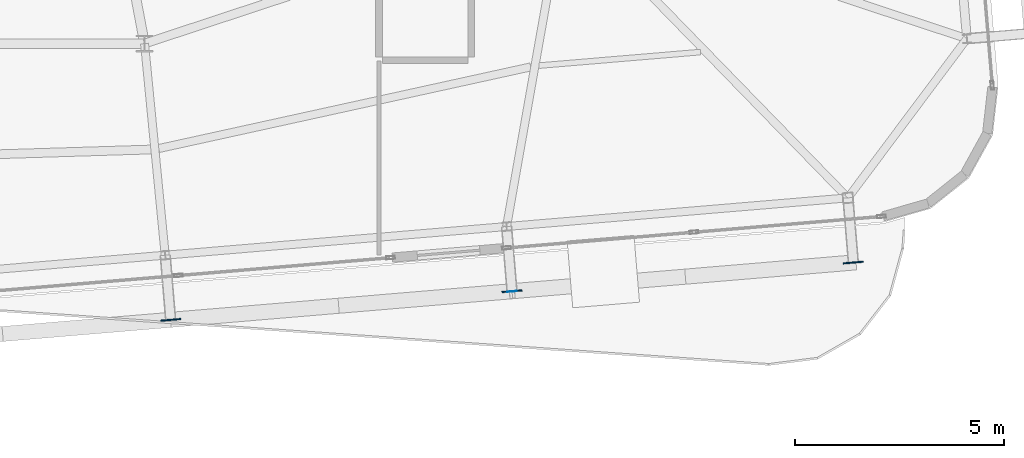
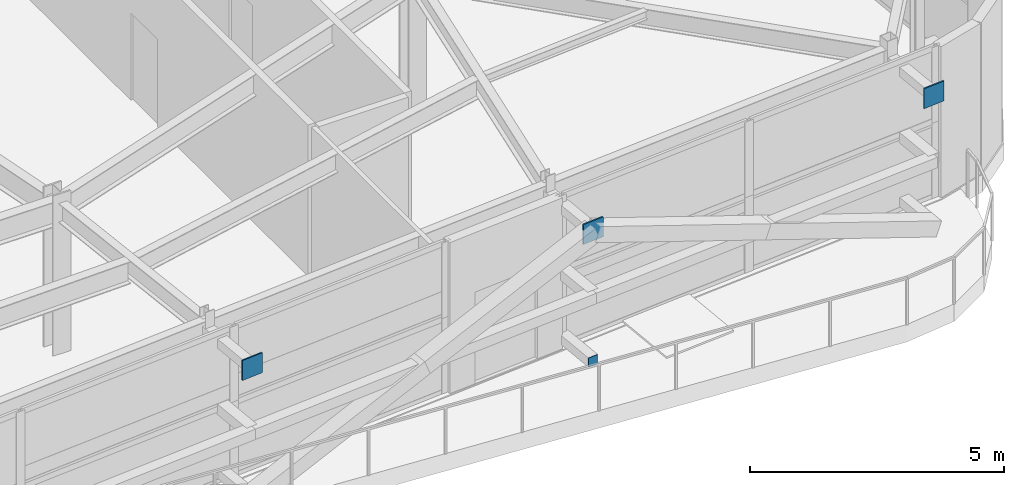
# One storey, part 28 of 38: 4 plates.
"""IFC4 building model written with IfcOpenShell, lengths in metres."""

from ifc_helpers import new_model, si_unit, direction, frame, origin, origin_2d, place, context, subcontext, project, spatial, rectangle, extrude, source, transform, mapped, material, layer, layer_set, type_object, element, save


model = new_model("IFC4")

# Units and contexts
model_context = context("Model", 3, precision=1e-05, world=origin(), true_north=direction((0.0, 1.0)))
body_context = subcontext(model_context, "Body", "Model", "MODEL_VIEW")
ifc_project = project(units=[si_unit("LENGTHUNIT", "METRE"), si_unit("AREAUNIT", "SQUARE_METRE"), si_unit("VOLUMEUNIT", "CUBIC_METRE"), si_unit("PLANEANGLEUNIT", "RADIAN"), si_unit("MASSUNIT", "GRAM", prefix="KILO")], contexts=[model_context])

# Site, building, storey
site_placement = place(None, origin())
site = spatial("IfcSite", under=ifc_project, at=site_placement, CompositionType="ELEMENT")
building_placement = place(site_placement, origin())
building = spatial("IfcBuilding", under=site, at=building_placement, Name="Taldren Reach Tower", CompositionType="ELEMENT")
storey_placement = place(building_placement, frame((0.0, 0.0, 168.699951171875)))
storey = spatial("IfcBuildingStorey", under=building, at=storey_placement, Name="L51", CompositionType="ELEMENT", Elevation=168.699951171875)

# Plates
ifc_material = material(Name="Steel Gr 450 (C450L0)", Category="steel")
ifc_layer_1 = layer(ifc_material, 0.031982421875)
ifc_layer_set_1 = layer_set([ifc_layer_1], Name="Steel Gr 450 (C450L0)")
plate_type_1 = type_object("IfcPlateType", Name="PL-GUSSET-32", PredefinedType="SHEET", material=ifc_layer_set_1)
shared_shape_1 = source(origin(), body_context, "Body", "SweptSolid", [
    extrude(rectangle(XDim=0.47998046875, YDim=0.031982421875, at=origin_2d()), origin(), (0.0, 0.0, 1.0), 0.47998046875),
])
for number, where, z_axis, x_axis, name in (
    (1, (42.623291015625, 2.60302734375, 3.110107421875), (0.0, 0.0, 1.0), (0.99649285925, 0.083677843332, 0.0), "Exoskeleton star-node gusset plate B4-S4 L51"),
    (2, (50.774658203125, 3.287353515625, 3.110107421875), (0.0, 0.0, 1.0), (0.99649285925, 0.083677843332, 0.0), "Exoskeleton star-node gusset plate B4-S5 L51"),
    (3, (58.926025390625, 3.971923828125, 3.110107421875), (0.0, 0.0, 1.0), (0.99649285925, 0.083677843332, 0.0), "Exoskeleton star-node gusset plate B4-S6 L51"),
):
    element("IfcPlate", number, at=place(storey_placement, frame(where, z_axis=z_axis, x_axis=x_axis)), inside=storey, type_object=plate_type_1, Name=name, PredefinedType="SHEET", context=body_context, shape_type="MappedRepresentation", body=[
        mapped(shared_shape_1, transform((0.0, 0.0, 0.0), scale=1.0)),
    ])
ifc_layer_2 = layer(ifc_material, 0.011962890625)
ifc_layer_set_2 = layer_set([ifc_layer_2], Name="Steel Gr 450 (C450L0)")
plate_type_2 = type_object("IfcPlateType", Name="PL-CAP-220", PredefinedType="SHEET", material=ifc_layer_set_2)
shared_shape_2 = source(origin(), body_context, "Body", "SweptSolid", [
    extrude(rectangle(XDim=0.219970703125, YDim=0.011962890625, at=origin_2d()), origin(), (0.0, 0.0, 1.0), 0.219970703125),
])
plate_placement = place(storey_placement, frame((50.775146484375, 3.281494140625, 0.10986328125), z_axis=(0.0, 0.0, 1.0), x_axis=(0.99649285925, 0.083677843332, 0.0)))
element("IfcPlate", 4, at=plate_placement, inside=storey, type_object=plate_type_2, Name="Tie strut end cap plate B4-S5 L51", PredefinedType="SHEET", context=body_context, shape_type="MappedRepresentation", body=[
    mapped(shared_shape_2, transform((0.0, 0.0, 0.0), scale=1.0)),
])

save(model, "model.ifc")
